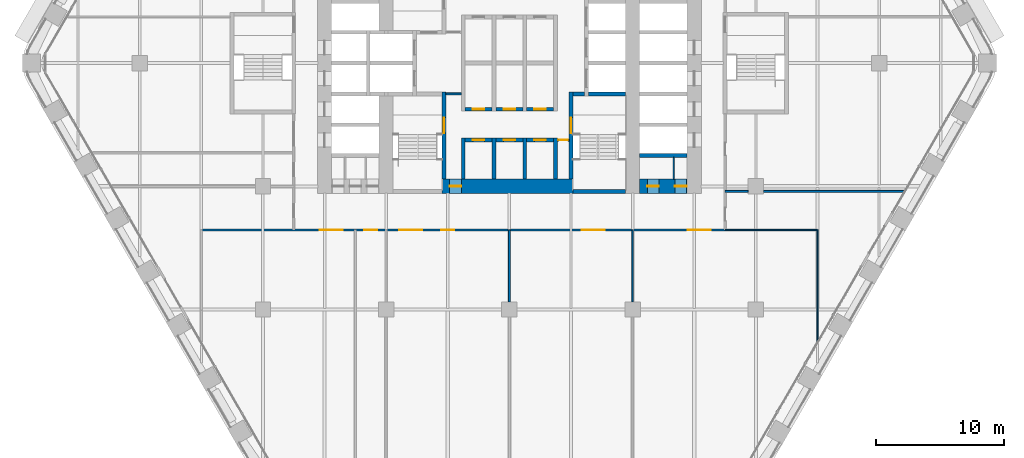
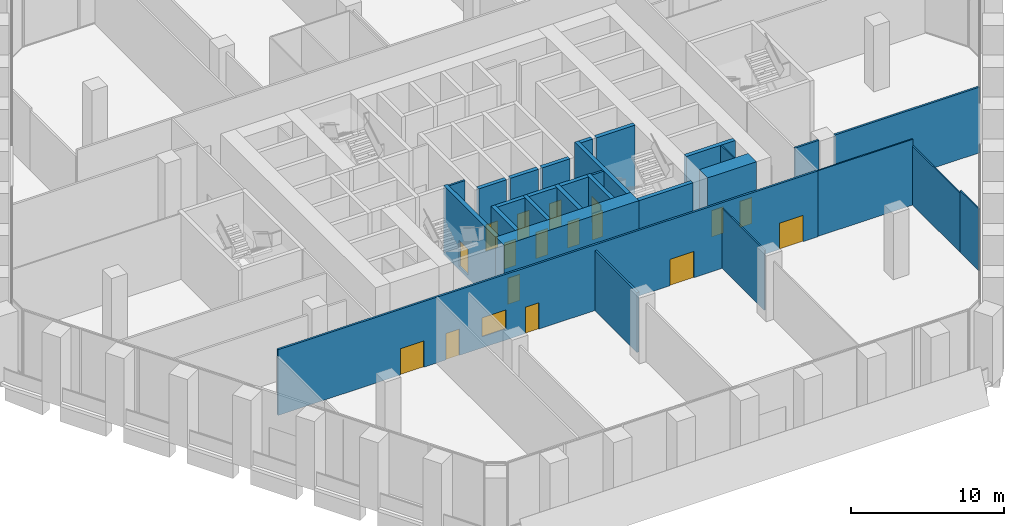
# One storey, part 18 of 27: 29 walls, 17 doors, 1 window, 18 openings.
"""IFC4 building model written with IfcOpenShell, lengths in metres."""

from ifc_helpers import new_model, si_unit, direction, frame, frame_2d, origin, place, context, subcontext, project, spatial, rectangle, extrude, material, layer, layer_set, type_object, element, fill, save


model = new_model("IFC4")

# Units and contexts
model_context = context("Model", 3, precision=1e-05, world=origin(), true_north=direction((0.0, 1.0)))
body_context = subcontext(model_context, "Body", "Model", "MODEL_VIEW")
ifc_project = project(units=[si_unit("LENGTHUNIT", "METRE"), si_unit("AREAUNIT", "SQUARE_METRE"), si_unit("VOLUMEUNIT", "CUBIC_METRE"), si_unit("PLANEANGLEUNIT", "RADIAN"), si_unit("MASSUNIT", "GRAM", prefix="KILO")], contexts=[model_context])

# Site, building, storey
site_placement = place(None, origin())
site = spatial("IfcSite", under=ifc_project, at=site_placement, CompositionType="ELEMENT")
building_placement = place(site_placement, origin())
building = spatial("IfcBuilding", under=site, at=building_placement, Name="Kolab Exchange Tower", CompositionType="ELEMENT")
storey_placement = place(building_placement, frame((0.0, 0.0, 44.39990234375)))
storey = spatial("IfcBuildingStorey", under=building, at=storey_placement, Name="L08", CompositionType="ELEMENT", Elevation=44.39990234375)

# Wall, opening, door
ifc_material_1 = material(Name="Concrete C80/95", Category="concrete")
ifc_layer_1 = layer(ifc_material_1, 1.10009765625)
ifc_layer_set_1 = layer_set([ifc_layer_1], Name="Concrete C80/95")
wall_type_1 = type_object("IfcWallType", Name="CORE WALL 1100 C80/95", PredefinedType="SHEAR", material=ifc_layer_set_1)
wall_1_placement = place(storey_placement, frame((-5.25, -9.60009765625, -0.25), z_axis=(0.0, 0.0, 1.0), x_axis=(1.0, 0.0, 0.0)))
wall_1 = element("IfcWall", 1, at=wall_1_placement, inside=storey, type_object=wall_type_1, Name="wall/L08/core/003", PredefinedType="SHEAR", context=body_context, shape_type="SweptSolid", body=[
    extrude(rectangle(XDim=10.199951171875, YDim=1.10009765625, at=frame_2d((5.10009765625, 0.0))), origin(), (0.0, 0.0, 1.0), 5.5),
])
opening_1_placement = place(wall_1_placement, frame((0.60009765625, 0.0, 0.25)))
opening_1 = element("IfcOpeningElement", 2, at=opening_1_placement, cuts=wall_1, Name="Opening D6-096", PredefinedType="OPENING", context=body_context, shape_type="SweptSolid", body=[
    extrude(rectangle(XDim=0.89990234375, YDim=2.10009765625, at=frame_2d((0.449951171875, 1.050048828125))), frame((0.0, 0.56005859375, 0.0), z_axis=(0.0, -1.0, 0.0), x_axis=(1.0, 0.0, 0.0)), (0.0, 0.0, 1.0), 1.1201171875),
])
ifc_material_2 = material(Name="Steel S235", Category="steel")
door_type_1 = type_object("IfcDoorType", Name="CORE DOOR 900 EI 120", OperationType="SINGLE_SWING_LEFT", PredefinedType="DOOR", material=ifc_material_2)
door_1_placement = place(opening_1_placement, origin())
door_1 = element("IfcDoor", 3, at=door_1_placement, inside=storey, type_object=door_type_1, Name="Core lobby door", OperationType="SINGLE_SWING_RIGHT", OverallHeight=2.10009765625, OverallWidth=0.89990234375, PredefinedType="DOOR", context=body_context, shape_type="SweptSolid", body=[
    extrude(rectangle(XDim=0.89990234375, YDim=2.10009765625, at=frame_2d((0.449951171875, 1.050048828125))), frame((0.0, 0.02490234375, 0.0), z_axis=(0.0, -1.0, 0.0), x_axis=(1.0, 0.0, 0.0)), (0.0, 0.0, 1.0), 0.050048828125),
])
fill(opening_1, door_1)

# Wall, openings, doors
wall_2_placement = place(storey_placement, frame((10.14990234375, -9.60009765625, -0.25), z_axis=(0.0, 0.0, 1.0), x_axis=(1.0, 0.0, 0.0)))
wall_2 = element("IfcWall", 4, at=wall_2_placement, inside=storey, type_object=wall_type_1, Name="wall/L08/core/004", PredefinedType="SHEAR", context=body_context, shape_type="SweptSolid", body=[
    extrude(rectangle(XDim=3.7001953125, YDim=1.10009765625, at=frame_2d((1.85009765625, 0.0))), origin(), (0.0, 0.0, 1.0), 5.5),
])
opening_2_placement = place(wall_2_placement, frame((0.60009765625, 0.0, 0.25)))
opening_2 = element("IfcOpeningElement", 5, at=opening_2_placement, cuts=wall_2, Name="Opening D6-110", PredefinedType="OPENING", context=body_context, shape_type="SweptSolid", body=[
    extrude(rectangle(XDim=0.89990234375, YDim=2.10009765625, at=frame_2d((0.449951171875, 1.050048828125))), frame((0.0, 0.56005859375, 0.0), z_axis=(0.0, -1.0, 0.0), x_axis=(1.0, 0.0, 0.0)), (0.0, 0.0, 1.0), 1.1201171875),
])
opening_3_placement = place(wall_2_placement, frame((2.75, 0.0, 0.25)))
opening_3 = element("IfcOpeningElement", 6, at=opening_3_placement, cuts=wall_2, Name="Opening D6-111", PredefinedType="OPENING", context=body_context, shape_type="SweptSolid", body=[
    extrude(rectangle(XDim=0.89990234375, YDim=2.10009765625, at=frame_2d((0.449951171875, 1.050048828125))), frame((0.0, 0.56005859375, 0.0), z_axis=(0.0, -1.0, 0.0), x_axis=(1.0, 0.0, 0.0)), (0.0, 0.0, 1.0), 1.1201171875),
])
door_2_placement = place(opening_2_placement, origin())
door_2 = element("IfcDoor", 7, at=door_2_placement, inside=storey, type_object=door_type_1, Name="Service room door", OperationType="SINGLE_SWING_RIGHT", OverallHeight=2.10009765625, OverallWidth=0.89990234375, PredefinedType="DOOR", context=body_context, shape_type="SweptSolid", body=[
    extrude(rectangle(XDim=0.89990234375, YDim=2.10009765625, at=frame_2d((0.449951171875, 1.050048828125))), frame((0.0, 0.02490234375, 0.0), z_axis=(0.0, -1.0, 0.0), x_axis=(1.0, 0.0, 0.0)), (0.0, 0.0, 1.0), 0.050048828125),
])
fill(opening_2, door_2)
door_3_placement = place(opening_3_placement, origin())
door_3 = element("IfcDoor", 8, at=door_3_placement, inside=storey, type_object=door_type_1, Name="Service room door", OperationType="SINGLE_SWING_LEFT", OverallHeight=2.10009765625, OverallWidth=0.89990234375, PredefinedType="DOOR", context=body_context, shape_type="SweptSolid", body=[
    extrude(rectangle(XDim=0.89990234375, YDim=2.10009765625, at=frame_2d((0.449951171875, 1.050048828125))), frame((0.0, 0.02490234375, 0.0), z_axis=(0.0, -1.0, 0.0), x_axis=(1.0, 0.0, 0.0)), (0.0, 0.0, 1.0), 0.050048828125),
])
fill(opening_3, door_3)

# Wall
ifc_material_3 = material(Name="Concrete C50/60", Category="concrete")
ifc_layer_2 = layer(ifc_material_3, 0.300048828125)
ifc_layer_set_2 = layer_set([ifc_layer_2], Name="Concrete C50/60")
wall_type_2 = type_object("IfcWallType", Name="LIFT SHAFT WALL 300 C50/60", PredefinedType="STANDARD", material=ifc_layer_set_2)
wall_3_placement = place(storey_placement, frame((10.14990234375, -7.199951171875, -0.25), z_axis=(0.0, 0.0, 1.0), x_axis=(1.0, 0.0, 0.0)))
element("IfcWall", 9, at=wall_3_placement, inside=storey, type_object=wall_type_2, Name="wall/L08/core/006", PredefinedType="STANDARD", context=body_context, shape_type="SweptSolid", body=[
    extrude(rectangle(XDim=3.7001953125, YDim=0.300048828125, at=frame_2d((1.85009765625, 0.0))), origin(), (0.0, 0.0, 1.0), 5.5),
])

# Wall, opening, door
wall_4_placement = place(storey_placement, frame((-3.449951171875, -6.0, -0.25), z_axis=(0.0, 0.0, 1.0), x_axis=(1.0, 0.0, 0.0)))
wall_4 = element("IfcWall", 10, at=wall_4_placement, inside=storey, type_object=wall_type_2, Name="wall/L08/core/007", PredefinedType="STANDARD", context=body_context, shape_type="SweptSolid", body=[
    extrude(rectangle(XDim=2.099853515625, YDim=0.300048828125, at=frame_2d((1.0498046875, 0.0))), origin(), (0.0, 0.0, 1.0), 5.5),
])
opening_4_placement = place(wall_4_placement, frame((0.60009765625, 0.0, 0.25)))
opening_4 = element("IfcOpeningElement", 11, at=opening_4_placement, cuts=wall_4, Name="Opening D6-095", PredefinedType="OPENING", context=body_context, shape_type="SweptSolid", body=[
    extrude(rectangle(XDim=0.89990234375, YDim=2.10009765625, at=frame_2d((0.449951171875, 1.050048828125))), frame((0.0, 0.16015625, 0.0), z_axis=(0.0, -1.0, 0.0), x_axis=(1.0, 0.0, 0.0)), (0.0, 0.0, 1.0), 0.320068359375),
])
door_4_placement = place(opening_4_placement, frame((0.89990234375, 0.0, 0.0), z_axis=(0.0, 0.0, 1.0), x_axis=(-1.0, 0.0, 0.0)))
door_4 = element("IfcDoor", 12, at=door_4_placement, inside=storey, type_object=door_type_1, Name="Service room door", OperationType="SINGLE_SWING_LEFT", OverallHeight=2.10009765625, OverallWidth=0.89990234375, PredefinedType="DOOR", context=body_context, shape_type="SweptSolid", body=[
    extrude(rectangle(XDim=0.89990234375, YDim=2.10009765625, at=frame_2d((0.449951171875, 1.050048828125))), frame((0.0, 0.02490234375, 0.0), z_axis=(0.0, -1.0, 0.0), x_axis=(1.0, 0.0, 0.0)), (0.0, 0.0, 1.0), 0.050048828125),
])
fill(opening_4, door_4)

wall_5_placement = place(storey_placement, frame((-1.050048828125, -6.0, -0.25), z_axis=(0.0, 0.0, 1.0), x_axis=(1.0, 0.0, 0.0)))
wall_5 = element("IfcWall", 13, at=wall_5_placement, inside=storey, type_object=wall_type_2, Name="wall/L08/core/008", PredefinedType="STANDARD", context=body_context, shape_type="SweptSolid", body=[
    extrude(rectangle(XDim=2.10009765625, YDim=0.300048828125, at=frame_2d((1.050048828125, 0.0))), origin(), (0.0, 0.0, 1.0), 5.5),
])
opening_5_placement = place(wall_5_placement, frame((0.60009765625, 0.0, 0.25)))
opening_5 = element("IfcOpeningElement", 14, at=opening_5_placement, cuts=wall_5, Name="Opening D6-094", PredefinedType="OPENING", context=body_context, shape_type="SweptSolid", body=[
    extrude(rectangle(XDim=0.89990234375, YDim=2.10009765625, at=frame_2d((0.449951171875, 1.050048828125))), frame((0.0, 0.16015625, 0.0), z_axis=(0.0, -1.0, 0.0), x_axis=(1.0, 0.0, 0.0)), (0.0, 0.0, 1.0), 0.320068359375),
])
door_5_placement = place(opening_5_placement, frame((0.89990234375, 0.0, 0.0), z_axis=(0.0, 0.0, 1.0), x_axis=(-1.0, 0.0, 0.0)))
door_5 = element("IfcDoor", 15, at=door_5_placement, inside=storey, type_object=door_type_1, Name="Service room door", OperationType="SINGLE_SWING_LEFT", OverallHeight=2.10009765625, OverallWidth=0.89990234375, PredefinedType="DOOR", context=body_context, shape_type="SweptSolid", body=[
    extrude(rectangle(XDim=0.89990234375, YDim=2.10009765625, at=frame_2d((0.449951171875, 1.050048828125))), frame((0.0, 0.02490234375, 0.0), z_axis=(0.0, -1.0, 0.0), x_axis=(1.0, 0.0, 0.0)), (0.0, 0.0, 1.0), 0.050048828125),
])
fill(opening_5, door_5)

wall_6_placement = place(storey_placement, frame((1.35009765625, -6.0, -0.25), z_axis=(0.0, 0.0, 1.0), x_axis=(1.0, 0.0, 0.0)))
wall_6 = element("IfcWall", 16, at=wall_6_placement, inside=storey, type_object=wall_type_2, Name="wall/L08/core/009", PredefinedType="STANDARD", context=body_context, shape_type="SweptSolid", body=[
    extrude(rectangle(XDim=2.099853515625, YDim=0.300048828125, at=frame_2d((1.0498046875, 0.0))), origin(), (0.0, 0.0, 1.0), 5.5),
])
opening_6_placement = place(wall_6_placement, frame((0.60009765625, 0.0, 0.25)))
opening_6 = element("IfcOpeningElement", 17, at=opening_6_placement, cuts=wall_6, Name="Opening D6-093", PredefinedType="OPENING", context=body_context, shape_type="SweptSolid", body=[
    extrude(rectangle(XDim=0.89990234375, YDim=2.10009765625, at=frame_2d((0.449951171875, 1.050048828125))), frame((0.0, 0.16015625, 0.0), z_axis=(0.0, -1.0, 0.0), x_axis=(1.0, 0.0, 0.0)), (0.0, 0.0, 1.0), 0.320068359375),
])
door_6_placement = place(opening_6_placement, frame((0.89990234375, 0.0, 0.0), z_axis=(0.0, 0.0, 1.0), x_axis=(-1.0, 0.0, 0.0)))
door_6 = element("IfcDoor", 18, at=door_6_placement, inside=storey, type_object=door_type_1, Name="Service room door", OperationType="SINGLE_SWING_RIGHT", OverallHeight=2.10009765625, OverallWidth=0.89990234375, PredefinedType="DOOR", context=body_context, shape_type="SweptSolid", body=[
    extrude(rectangle(XDim=0.89990234375, YDim=2.10009765625, at=frame_2d((0.449951171875, 1.050048828125))), frame((0.0, 0.02490234375, 0.0), z_axis=(0.0, -1.0, 0.0), x_axis=(1.0, 0.0, 0.0)), (0.0, 0.0, 1.0), 0.050048828125),
])
fill(opening_6, door_6)

wall_7_placement = place(storey_placement, frame((-3.449951171875, -3.60009765625, -0.25), z_axis=(0.0, 0.0, 1.0), x_axis=(1.0, 0.0, 0.0)))
wall_7 = element("IfcWall", 19, at=wall_7_placement, inside=storey, type_object=wall_type_2, Name="wall/L08/core/014", PredefinedType="STANDARD", context=body_context, shape_type="SweptSolid", body=[
    extrude(rectangle(XDim=2.099853515625, YDim=0.300048828125, at=frame_2d((1.0498046875, 0.0))), origin(), (0.0, 0.0, 1.0), 5.5),
])
opening_7_placement = place(wall_7_placement, frame((0.60009765625, 0.0, 0.25)))
opening_7 = element("IfcOpeningElement", 20, at=opening_7_placement, cuts=wall_7, Name="Opening D6-092", PredefinedType="OPENING", context=body_context, shape_type="SweptSolid", body=[
    extrude(rectangle(XDim=0.89990234375, YDim=2.10009765625, at=frame_2d((0.449951171875, 1.050048828125))), frame((0.0, 0.16015625, 0.0), z_axis=(0.0, -1.0, 0.0), x_axis=(1.0, 0.0, 0.0)), (0.0, 0.0, 1.0), 0.320068359375),
])
door_7_placement = place(opening_7_placement, origin())
door_7 = element("IfcDoor", 21, at=door_7_placement, inside=storey, type_object=door_type_1, Name="Service room door", OperationType="SINGLE_SWING_LEFT", OverallHeight=2.10009765625, OverallWidth=0.89990234375, PredefinedType="DOOR", context=body_context, shape_type="SweptSolid", body=[
    extrude(rectangle(XDim=0.89990234375, YDim=2.10009765625, at=frame_2d((0.449951171875, 1.050048828125))), frame((0.0, 0.02490234375, 0.0), z_axis=(0.0, -1.0, 0.0), x_axis=(1.0, 0.0, 0.0)), (0.0, 0.0, 1.0), 0.050048828125),
])
fill(opening_7, door_7)

wall_8_placement = place(storey_placement, frame((-1.050048828125, -3.60009765625, -0.25), z_axis=(0.0, 0.0, 1.0), x_axis=(1.0, 0.0, 0.0)))
wall_8 = element("IfcWall", 22, at=wall_8_placement, inside=storey, type_object=wall_type_2, Name="wall/L08/core/015", PredefinedType="STANDARD", context=body_context, shape_type="SweptSolid", body=[
    extrude(rectangle(XDim=2.10009765625, YDim=0.300048828125, at=frame_2d((1.050048828125, 0.0))), origin(), (0.0, 0.0, 1.0), 5.5),
])
opening_8_placement = place(wall_8_placement, frame((0.60009765625, 0.0, 0.25)))
opening_8 = element("IfcOpeningElement", 23, at=opening_8_placement, cuts=wall_8, Name="Opening D6-106", PredefinedType="OPENING", context=body_context, shape_type="SweptSolid", body=[
    extrude(rectangle(XDim=0.89990234375, YDim=2.10009765625, at=frame_2d((0.449951171875, 1.050048828125))), frame((0.0, 0.16015625, 0.0), z_axis=(0.0, -1.0, 0.0), x_axis=(1.0, 0.0, 0.0)), (0.0, 0.0, 1.0), 0.320068359375),
])
door_8_placement = place(opening_8_placement, origin())
door_8 = element("IfcDoor", 24, at=door_8_placement, inside=storey, type_object=door_type_1, Name="Service room door", OperationType="SINGLE_SWING_RIGHT", OverallHeight=2.10009765625, OverallWidth=0.89990234375, PredefinedType="DOOR", context=body_context, shape_type="SweptSolid", body=[
    extrude(rectangle(XDim=0.89990234375, YDim=2.10009765625, at=frame_2d((0.449951171875, 1.050048828125))), frame((0.0, 0.02490234375, 0.0), z_axis=(0.0, -1.0, 0.0), x_axis=(1.0, 0.0, 0.0)), (0.0, 0.0, 1.0), 0.050048828125),
])
fill(opening_8, door_8)

wall_9_placement = place(storey_placement, frame((1.35009765625, -3.60009765625, -0.25), z_axis=(0.0, 0.0, 1.0), x_axis=(1.0, 0.0, 0.0)))
wall_9 = element("IfcWall", 25, at=wall_9_placement, inside=storey, type_object=wall_type_2, Name="wall/L08/core/016", PredefinedType="STANDARD", context=body_context, shape_type="SweptSolid", body=[
    extrude(rectangle(XDim=2.099853515625, YDim=0.300048828125, at=frame_2d((1.0498046875, 0.0))), origin(), (0.0, 0.0, 1.0), 5.5),
])
opening_9_placement = place(wall_9_placement, frame((0.60009765625, 0.0, 0.25)))
opening_9 = element("IfcOpeningElement", 26, at=opening_9_placement, cuts=wall_9, Name="Opening D6-090", PredefinedType="OPENING", context=body_context, shape_type="SweptSolid", body=[
    extrude(rectangle(XDim=0.89990234375, YDim=2.10009765625, at=frame_2d((0.449951171875, 1.050048828125))), frame((0.0, 0.16015625, 0.0), z_axis=(0.0, -1.0, 0.0), x_axis=(1.0, 0.0, 0.0)), (0.0, 0.0, 1.0), 0.320068359375),
])
door_9_placement = place(opening_9_placement, origin())
door_9 = element("IfcDoor", 27, at=door_9_placement, inside=storey, type_object=door_type_1, Name="Service room door", OperationType="SINGLE_SWING_RIGHT", OverallHeight=2.10009765625, OverallWidth=0.89990234375, PredefinedType="DOOR", context=body_context, shape_type="SweptSolid", body=[
    extrude(rectangle(XDim=0.89990234375, YDim=2.10009765625, at=frame_2d((0.449951171875, 1.050048828125))), frame((0.0, 0.02490234375, 0.0), z_axis=(0.0, -1.0, 0.0), x_axis=(1.0, 0.0, 0.0)), (0.0, 0.0, 1.0), 0.050048828125),
])
fill(opening_9, door_9)

# Walls
for number, where, z_axis, x_axis, name in (
    (28, (-3.60009765625, -9.050048828125, -0.25), (0.0, 0.0, 1.0), (0.0, 1.0, 0.0), "wall/L08/core/066"),
    (29, (-1.199951171875, -9.050048828125, -0.25), (0.0, 0.0, 1.0), (0.0, 1.0, 0.0), "wall/L08/core/069"),
    (30, (1.199951171875, -9.050048828125, -0.25), (0.0, 0.0, 1.0), (0.0, 1.0, 0.0), "wall/L08/core/072"),
    (31, (3.60009765625, -9.050048828125, -0.25), (0.0, 0.0, 1.0), (0.0, 1.0, 0.0), "wall/L08/core/075"),
):
    element("IfcWall", number, at=place(storey_placement, frame(where, z_axis=z_axis, x_axis=x_axis)), inside=storey, type_object=wall_type_2, Name=name, PredefinedType="STANDARD", context=body_context, shape_type="SweptSolid", body=[
        extrude(rectangle(XDim=3.199951171875, YDim=0.300048828125, at=frame_2d((1.60009765625, 0.0))), origin(), (0.0, 0.0, 1.0), 5.5),
    ])
ifc_material_4 = material(Name="Gypsum board", Category="gypsum")
ifc_layer_3 = layer(ifc_material_4, 0.10009765625)
ifc_layer_set_3 = layer_set([ifc_layer_3], Name="Gypsum board")
wall_type_3 = type_object("IfcWallType", Name="PARTITION 100", PredefinedType="PARTITIONING", material=ifc_layer_set_3)
wall_10_placement = place(storey_placement, frame((24.0, -19.27392578125, 0.0), z_axis=(0.0, 0.0, 1.0), x_axis=(0.0, 1.0, 0.0)))
element("IfcWall", 32, at=wall_10_placement, inside=storey, type_object=wall_type_3, Name="Partition 000", PredefinedType="PARTITIONING", context=body_context, shape_type="SweptSolid", body=[
    extrude(rectangle(XDim=6.27392578125, YDim=0.10009765625, at=frame_2d((3.136962890625, 0.0))), origin(), (0.0, 0.0, 1.0), 4.717041015625),
])
wall_11_placement = place(storey_placement, frame((24.0, -21.701416015625, 0.0), z_axis=(0.0, 0.0, 1.0), x_axis=(0.0, 1.0, 0.0)))
element("IfcWall", 33, at=wall_11_placement, inside=storey, type_object=wall_type_3, Name="Partition 000", PredefinedType="PARTITIONING", context=body_context, shape_type="SweptSolid", body=[
    extrude(rectangle(XDim=2.427490234375, YDim=0.10009765625, at=frame_2d((1.2138671875, 0.0))), origin(), (0.0, 0.0, 1.0), 4.940185546875),
])
wall_12_placement = place(storey_placement, frame((12.800048828125, -9.050048828125, 0.0), z_axis=(0.0, 0.0, 1.0), x_axis=(0.0, 1.0, 0.0)))
element("IfcWall", 34, at=wall_12_placement, inside=storey, type_object=wall_type_3, Name="Partition 004", PredefinedType="PARTITIONING", context=body_context, shape_type="SweptSolid", body=[
    extrude(rectangle(XDim=1.699951171875, YDim=0.10009765625, at=frame_2d((0.85009765625, 0.0))), origin(), (0.0, 0.0, 1.0), 5.25),
])
wall_13_placement = place(storey_placement, frame((9.60009765625, -18.60009765625, 0.0), z_axis=(0.0, 0.0, 1.0), x_axis=(0.0, 1.0, 0.0)))
element("IfcWall", 35, at=wall_13_placement, inside=storey, type_object=wall_type_3, Name="Partition 006", PredefinedType="PARTITIONING", context=body_context, shape_type="SweptSolid", body=[
    extrude(rectangle(XDim=5.60009765625, YDim=0.10009765625, at=frame_2d((2.800048828125, 0.0))), origin(), (0.0, 0.0, 1.0), 4.793212890625),
])
wall_14_placement = place(storey_placement, frame((16.800048828125, -13.0, 0.0), z_axis=(0.0, 0.0, 1.0), x_axis=(1.0, 0.0, 0.0)))
element("IfcWall", 36, at=wall_14_placement, inside=storey, type_object=wall_type_3, Name="Partition 029", PredefinedType="PARTITIONING", context=body_context, shape_type="SweptSolid", body=[
    extrude(rectangle(XDim=7.199951171875, YDim=0.10009765625, at=frame_2d((3.60009765625, 0.0))), origin(), (0.0, 0.0, 1.0), 5.25),
])
ifc_layer_4 = layer(ifc_material_4, 0.14990234375)
ifc_layer_set_4 = layer_set([ifc_layer_4], Name="Gypsum board")
wall_type_4 = type_object("IfcWallType", Name="PARTITION 150 FIRE-RATED", PredefinedType="PARTITIONING", material=ifc_layer_set_4)
wall_15_placement = place(storey_placement, frame((0.0, -18.60009765625, 0.0), z_axis=(0.0, 0.0, 1.0), x_axis=(0.0, 1.0, 0.0)))
element("IfcWall", 37, at=wall_15_placement, inside=storey, type_object=wall_type_4, Name="Partition 010", PredefinedType="PARTITIONING", context=body_context, shape_type="SweptSolid", body=[
    extrude(rectangle(XDim=5.60009765625, YDim=0.14990234375, at=frame_2d((2.800048828125, 0.0))), origin(), (0.0, 0.0, 1.0), 4.793212890625),
])

# Wall, openings, doors, window
wall_16_placement = place(storey_placement, frame((-24.0, -13.0, 0.0), z_axis=(0.0, 0.0, 1.0), x_axis=(1.0, 0.0, 0.0)))
wall_16 = element("IfcWall", 38, at=wall_16_placement, inside=storey, type_object=wall_type_4, Name="Partition 030", PredefinedType="PARTITIONING", context=body_context, shape_type="SweptSolid", body=[
    extrude(rectangle(XDim=40.800048828125, YDim=0.14990234375, at=frame_2d((20.39990234375, 0.0))), origin(), (0.0, 0.0, 1.0), 5.25),
])
opening_10_placement = place(wall_16_placement, frame((9.22509765625, 0.0, 0.0)))
opening_10 = element("IfcOpeningElement", 39, at=opening_10_placement, cuts=wall_16, Name="Opening D2-023", PredefinedType="OPENING", context=body_context, shape_type="SweptSolid", body=[
    extrude(rectangle(XDim=1.800048828125, YDim=2.10009765625, at=frame_2d((0.89990234375, 1.050048828125))), frame((0.0, 0.0849609375, 0.0), z_axis=(0.0, -1.0, 0.0), x_axis=(1.0, 0.0, 0.0)), (0.0, 0.0, 1.0), 0.169921875),
])
opening_11_placement = place(wall_16_placement, frame((12.699951171875, 0.0, 0.0)))
opening_11 = element("IfcOpeningElement", 40, at=opening_11_placement, cuts=wall_16, Name="Opening D1-113", PredefinedType="OPENING", context=body_context, shape_type="SweptSolid", body=[
    extrude(rectangle(XDim=1.0, YDim=2.10009765625, at=frame_2d((0.5, 1.050048828125))), frame((0.0, 0.0849609375, 0.0), z_axis=(0.0, -1.0, 0.0), x_axis=(1.0, 0.0, 0.0)), (0.0, 0.0, 1.0), 0.169921875),
])
opening_12_placement = place(wall_16_placement, frame((18.699951171875, 0.0, 0.0)))
opening_12 = element("IfcOpeningElement", 41, at=opening_12_placement, cuts=wall_16, Name="Opening D1-114", PredefinedType="OPENING", context=body_context, shape_type="SweptSolid", body=[
    extrude(rectangle(XDim=1.0, YDim=2.10009765625, at=frame_2d((0.5, 1.050048828125))), frame((0.0, 0.0849609375, 0.0), z_axis=(0.0, -1.0, 0.0), x_axis=(1.0, 0.0, 0.0)), (0.0, 0.0, 1.0), 0.169921875),
])
opening_13_placement = place(wall_16_placement, frame((29.625, 0.0, 0.0)))
opening_13 = element("IfcOpeningElement", 42, at=opening_13_placement, cuts=wall_16, Name="Opening D2-024", PredefinedType="OPENING", context=body_context, shape_type="SweptSolid", body=[
    extrude(rectangle(XDim=1.800048828125, YDim=2.10009765625, at=frame_2d((0.89990234375, 1.050048828125))), frame((0.0, 0.0849609375, 0.0), z_axis=(0.0, -1.0, 0.0), x_axis=(1.0, 0.0, 0.0)), (0.0, 0.0, 1.0), 0.169921875),
])
opening_14_placement = place(wall_16_placement, frame((37.875, 0.0, 0.0)))
opening_14 = element("IfcOpeningElement", 43, at=opening_14_placement, cuts=wall_16, Name="Opening D2-025", PredefinedType="OPENING", context=body_context, shape_type="SweptSolid", body=[
    extrude(rectangle(XDim=1.800048828125, YDim=2.10009765625, at=frame_2d((0.89990234375, 1.050048828125))), frame((0.0, 0.0849609375, 0.0), z_axis=(0.0, -1.0, 0.0), x_axis=(1.0, 0.0, 0.0)), (0.0, 0.0, 1.0), 0.169921875),
])
opening_15_placement = place(wall_16_placement, frame((15.39990234375, 0.0, 0.89990234375)))
opening_15 = element("IfcOpeningElement", 44, at=opening_15_placement, cuts=wall_16, Name="Opening W1-002", PredefinedType="OPENING", context=body_context, shape_type="SweptSolid", body=[
    extrude(rectangle(XDim=1.800048828125, YDim=1.5, at=frame_2d((0.89990234375, 0.75))), frame((0.0, 0.0849609375, 0.0), z_axis=(0.0, -1.0, 0.0), x_axis=(1.0, 0.0, 0.0)), (0.0, 0.0, 1.0), 0.169921875),
])
door_type_2 = type_object("IfcDoorType", Name="DOUBLE DOOR 1800 FD60", OperationType="DOUBLE_DOOR_SINGLE_SWING", PredefinedType="DOOR", material=ifc_material_2)
door_10_placement = place(opening_10_placement, frame((1.800048828125, 0.0, 0.0), z_axis=(0.0, 0.0, 1.0), x_axis=(-1.0, 0.0, 0.0)))
door_10 = element("IfcDoor", 45, at=door_10_placement, inside=storey, type_object=door_type_2, Name="Door L08-054", OperationType="SINGLE_SWING_RIGHT", OverallHeight=2.10009765625, OverallWidth=1.800048828125, PredefinedType="DOOR", context=body_context, shape_type="SweptSolid", body=[
    extrude(rectangle(XDim=1.800048828125, YDim=2.10009765625, at=frame_2d((0.89990234375, 1.050048828125))), frame((0.0, 0.02490234375, 0.0), z_axis=(0.0, -1.0, 0.0), x_axis=(1.0, 0.0, 0.0)), (0.0, 0.0, 1.0), 0.050048828125),
])
fill(opening_10, door_10)
door_11_placement = place(opening_13_placement, frame((1.800048828125, 0.0, 0.0), z_axis=(0.0, 0.0, 1.0), x_axis=(-1.0, 0.0, 0.0)))
door_11 = element("IfcDoor", 46, at=door_11_placement, inside=storey, type_object=door_type_2, Name="Door L08-057", OperationType="SINGLE_SWING_RIGHT", OverallHeight=2.10009765625, OverallWidth=1.800048828125, PredefinedType="DOOR", context=body_context, shape_type="SweptSolid", body=[
    extrude(rectangle(XDim=1.800048828125, YDim=2.10009765625, at=frame_2d((0.89990234375, 1.050048828125))), frame((0.0, 0.02490234375, 0.0), z_axis=(0.0, -1.0, 0.0), x_axis=(1.0, 0.0, 0.0)), (0.0, 0.0, 1.0), 0.050048828125),
])
fill(opening_13, door_11)
door_12_placement = place(opening_14_placement, frame((1.800048828125, 0.0, 0.0), z_axis=(0.0, 0.0, 1.0), x_axis=(-1.0, 0.0, 0.0)))
door_12 = element("IfcDoor", 47, at=door_12_placement, inside=storey, type_object=door_type_2, Name="Door L08-058", OperationType="SINGLE_SWING_LEFT", OverallHeight=2.10009765625, OverallWidth=1.800048828125, PredefinedType="DOOR", context=body_context, shape_type="SweptSolid", body=[
    extrude(rectangle(XDim=1.800048828125, YDim=2.10009765625, at=frame_2d((0.89990234375, 1.050048828125))), frame((0.0, 0.02490234375, 0.0), z_axis=(0.0, -1.0, 0.0), x_axis=(1.0, 0.0, 0.0)), (0.0, 0.0, 1.0), 0.050048828125),
])
fill(opening_14, door_12)
door_type_3 = type_object("IfcDoorType", Name="FLUSH DOOR 1000 FD60", OperationType="SINGLE_SWING_LEFT", PredefinedType="DOOR", material=ifc_material_2)
door_13_placement = place(opening_11_placement, frame((1.0, 0.0, 0.0), z_axis=(0.0, 0.0, 1.0), x_axis=(-1.0, 0.0, 0.0)))
door_13 = element("IfcDoor", 48, at=door_13_placement, inside=storey, type_object=door_type_3, Name="Door L08-055", OperationType="SINGLE_SWING_LEFT", OverallHeight=2.10009765625, OverallWidth=1.0, PredefinedType="DOOR", context=body_context, shape_type="SweptSolid", body=[
    extrude(rectangle(XDim=1.0, YDim=2.10009765625, at=frame_2d((0.5, 1.050048828125))), frame((0.0, 0.02490234375, 0.0), z_axis=(0.0, -1.0, 0.0), x_axis=(1.0, 0.0, 0.0)), (0.0, 0.0, 1.0), 0.050048828125),
])
fill(opening_11, door_13)
door_14_placement = place(opening_12_placement, frame((1.0, 0.0, 0.0), z_axis=(0.0, 0.0, 1.0), x_axis=(-1.0, 0.0, 0.0)))
door_14 = element("IfcDoor", 49, at=door_14_placement, inside=storey, type_object=door_type_3, Name="Door L08-056", OperationType="SINGLE_SWING_LEFT", OverallHeight=2.10009765625, OverallWidth=1.0, PredefinedType="DOOR", context=body_context, shape_type="SweptSolid", body=[
    extrude(rectangle(XDim=1.0, YDim=2.10009765625, at=frame_2d((0.5, 1.050048828125))), frame((0.0, 0.02490234375, 0.0), z_axis=(0.0, -1.0, 0.0), x_axis=(1.0, 0.0, 0.0)), (0.0, 0.0, 1.0), 0.050048828125),
])
fill(opening_12, door_14)
ifc_material_5 = material(Name="Fire-rated glazing", Category="glass")
window_type = type_object("IfcWindowType", Name="OBSERVATION WINDOW 1800 X 1500 EI 60", PartitioningType="SINGLE_PANEL", PredefinedType="WINDOW", material=ifc_material_5)
window_placement = place(opening_15_placement, origin())
window = element("IfcWindow", 50, at=window_placement, inside=storey, type_object=window_type, Name="Viewing window L08-1", OverallHeight=1.5, OverallWidth=1.800048828125, PartitioningType="SINGLE_PANEL", PredefinedType="WINDOW", context=body_context, shape_type="SweptSolid", body=[
    extrude(rectangle(XDim=1.800048828125, YDim=1.5, at=frame_2d((0.89990234375, 0.75))), frame((0.0, 0.030029296875, 0.0), z_axis=(0.0, -1.0, 0.0), x_axis=(1.0, 0.0, 0.0)), (0.0, 0.0, 1.0), 0.06005859375),
])
fill(opening_15, window)

# Walls
wall_17_placement = place(storey_placement, frame((16.800048828125, -10.0, 0.0), z_axis=(0.0, 0.0, 1.0), x_axis=(1.0, 0.0, 0.0)))
element("IfcWall", 51, at=wall_17_placement, inside=storey, type_object=wall_type_4, Name="Partition 031", PredefinedType="PARTITIONING", context=body_context, shape_type="SweptSolid", body=[
    extrude(rectangle(XDim=1.800048828125, YDim=0.14990234375, at=frame_2d((0.89990234375, 0.0))), origin(), (0.0, 0.0, 1.0), 5.25),
])
wall_18_placement = place(storey_placement, frame((19.800048828125, -10.0, 0.0), z_axis=(0.0, 0.0, 1.0), x_axis=(1.0, 0.0, 0.0)))
element("IfcWall", 52, at=wall_18_placement, inside=storey, type_object=wall_type_4, Name="Partition 032", PredefinedType="PARTITIONING", context=body_context, shape_type="SweptSolid", body=[
    extrude(rectangle(XDim=10.955810546875, YDim=0.14990234375, at=frame_2d((5.47802734375, 0.0))), origin(), (0.0, 0.0, 1.0), 5.25),
])

# Wall, opening, door
wall_19_placement = place(storey_placement, frame((3.75, -6.0, 0.0), z_axis=(0.0, 0.0, 1.0), x_axis=(1.0, 0.0, 0.0)))
wall_19 = element("IfcWall", 53, at=wall_19_placement, inside=storey, type_object=wall_type_4, Name="Partition 036", PredefinedType="PARTITIONING", context=body_context, shape_type="SweptSolid", body=[
    extrude(rectangle(XDim=0.89990234375, YDim=0.14990234375, at=frame_2d((0.449951171875, 0.0))), origin(), (0.0, 0.0, 1.0), 5.25),
])
opening_16_placement = place(wall_19_placement, frame((0.050048828125, 0.0, 0.0)))
opening_16 = element("IfcOpeningElement", 54, at=opening_16_placement, cuts=wall_19, Name="Opening D7-010", PredefinedType="OPENING", context=body_context, shape_type="SweptSolid", body=[
    extrude(rectangle(XDim=0.800048828125, YDim=2.10009765625, at=frame_2d((0.39990234375, 1.050048828125))), frame((0.0, 0.0849609375, 0.0), z_axis=(0.0, -1.0, 0.0), x_axis=(1.0, 0.0, 0.0)), (0.0, 0.0, 1.0), 0.169921875),
])
door_type_4 = type_object("IfcDoorType", Name="FLUSH DOOR 800 FD60", OperationType="SINGLE_SWING_LEFT", PredefinedType="DOOR", material=ifc_material_2)
door_15_placement = place(opening_16_placement, frame((0.800048828125, 0.0, 0.0), z_axis=(0.0, 0.0, 1.0), x_axis=(-1.0, 0.0, 0.0)))
door_15 = element("IfcDoor", 55, at=door_15_placement, inside=storey, type_object=door_type_4, Name="Door L08-042", OperationType="SINGLE_SWING_RIGHT", OverallHeight=2.10009765625, OverallWidth=0.800048828125, PredefinedType="DOOR", context=body_context, shape_type="SweptSolid", body=[
    extrude(rectangle(XDim=0.800048828125, YDim=2.10009765625, at=frame_2d((0.39990234375, 1.050048828125))), frame((0.0, 0.02490234375, 0.0), z_axis=(0.0, -1.0, 0.0), x_axis=(1.0, 0.0, 0.0)), (0.0, 0.0, 1.0), 0.050048828125),
])
fill(opening_16, door_15)

# Walls
wall_20_placement = place(storey_placement, frame((-4.949951171875, -2.39990234375, 0.0), z_axis=(0.0, 0.0, 1.0), x_axis=(1.0, 0.0, 0.0)))
element("IfcWall", 56, at=wall_20_placement, inside=storey, type_object=wall_type_4, Name="Fire partition", PredefinedType="PARTITIONING", context=body_context, shape_type="SweptSolid", body=[
    extrude(rectangle(XDim=1.199951171875, YDim=0.14990234375, at=frame_2d((0.60009765625, 0.0))), origin(), (0.0, 0.0, 1.0), 5.25),
])
ifc_layer_5 = layer(ifc_material_3, 0.300048828125)
ifc_layer_set_5 = layer_set([ifc_layer_5], Name="Concrete C50/60")
wall_type_5 = type_object("IfcWallType", Name="STAIR ENCLOSURE WALL 300 C50/60", PredefinedType="STANDARD", material=ifc_layer_set_5)
wall_21_placement = place(storey_placement, frame((4.949951171875, -10.0, -0.25), z_axis=(0.0, 0.0, 1.0), x_axis=(1.0, 0.0, 0.0)))
element("IfcWall", 57, at=wall_21_placement, inside=storey, type_object=wall_type_5, Name="wall/L08/core/001", PredefinedType="STANDARD", context=body_context, shape_type="SweptSolid", body=[
    extrude(rectangle(XDim=4.10009765625, YDim=0.300048828125, at=frame_2d((2.050048828125, 0.0))), origin(), (0.0, 0.0, 1.0), 5.5),
])
wall_22_placement = place(storey_placement, frame((4.949951171875, -2.39990234375, -0.25), z_axis=(0.0, 0.0, 1.0), x_axis=(1.0, 0.0, 0.0)))
element("IfcWall", 58, at=wall_22_placement, inside=storey, type_object=wall_type_5, Name="wall/L08/core/021", PredefinedType="STANDARD", context=body_context, shape_type="SweptSolid", body=[
    extrude(rectangle(XDim=0.900146484375, YDim=0.300048828125, at=frame_2d((0.4501953125, 0.0))), origin(), (0.0, 0.0, 1.0), 5.5),
])
wall_23_placement = place(storey_placement, frame((6.14990234375, -2.39990234375, -0.25), z_axis=(0.0, 0.0, 1.0), x_axis=(1.0, 0.0, 0.0)))
element("IfcWall", 59, at=wall_23_placement, inside=storey, type_object=wall_type_5, Name="wall/L08/core/022", PredefinedType="STANDARD", context=body_context, shape_type="SweptSolid", body=[
    extrude(rectangle(XDim=2.900146484375, YDim=0.300048828125, at=frame_2d((1.4501953125, 0.0))), origin(), (0.0, 0.0, 1.0), 5.5),
])

# Wall, opening, door
wall_24_placement = place(storey_placement, frame((-5.10009765625, -9.050048828125, -0.25), z_axis=(0.0, 0.0, 1.0), x_axis=(0.0, 1.0, 0.0)))
wall_24 = element("IfcWall", 60, at=wall_24_placement, inside=storey, type_object=wall_type_5, Name="wall/L08/core/064", PredefinedType="STANDARD", context=body_context, shape_type="SweptSolid", body=[
    extrude(rectangle(XDim=6.800048828125, YDim=0.300048828125, at=frame_2d((3.39990234375, 0.0))), origin(), (0.0, 0.0, 1.0), 5.5),
])
opening_17_placement = place(wall_24_placement, frame((3.60009765625, 0.0, 0.25)))
opening_17 = element("IfcOpeningElement", 61, at=opening_17_placement, cuts=wall_24, Name="Opening D4-022", PredefinedType="OPENING", context=body_context, shape_type="SweptSolid", body=[
    extrude(rectangle(XDim=1.199951171875, YDim=2.10009765625, at=frame_2d((0.60009765625, 1.050048828125))), frame((0.0, 0.16015625, 0.0), z_axis=(0.0, -1.0, 0.0), x_axis=(1.0, 0.0, 0.0)), (0.0, 0.0, 1.0), 0.320068359375),
])
door_type_5 = type_object("IfcDoorType", Name="STAIR DOOR 1200 EI 120", OperationType="SINGLE_SWING_LEFT", PredefinedType="DOOR", material=ifc_material_2)
door_16_placement = place(opening_17_placement, origin())
door_16 = element("IfcDoor", 62, at=door_16_placement, inside=storey, type_object=door_type_5, Name="Stair 3 door", OperationType="SINGLE_SWING_RIGHT", OverallHeight=2.10009765625, OverallWidth=1.199951171875, PredefinedType="DOOR", context=body_context, shape_type="SweptSolid", body=[
    extrude(rectangle(XDim=1.199951171875, YDim=2.10009765625, at=frame_2d((0.60009765625, 1.050048828125))), frame((0.0, 0.02490234375, 0.0), z_axis=(0.0, -1.0, 0.0), x_axis=(1.0, 0.0, 0.0)), (0.0, 0.0, 1.0), 0.050048828125),
])
fill(opening_17, door_16)

wall_25_placement = place(storey_placement, frame((4.800048828125, -9.050048828125, -0.25), z_axis=(0.0, 0.0, 1.0), x_axis=(0.0, 1.0, 0.0)))
wall_25 = element("IfcWall", 63, at=wall_25_placement, inside=storey, type_object=wall_type_5, Name="wall/L08/core/078", PredefinedType="STANDARD", context=body_context, shape_type="SweptSolid", body=[
    extrude(rectangle(XDim=6.800048828125, YDim=0.300048828125, at=frame_2d((3.39990234375, 0.0))), origin(), (0.0, 0.0, 1.0), 5.5),
])
opening_18_placement = place(wall_25_placement, frame((3.60009765625, 0.0, 0.25)))
opening_18 = element("IfcOpeningElement", 64, at=opening_18_placement, cuts=wall_25, Name="Opening D4-021", PredefinedType="OPENING", context=body_context, shape_type="SweptSolid", body=[
    extrude(rectangle(XDim=1.199951171875, YDim=2.10009765625, at=frame_2d((0.60009765625, 1.050048828125))), frame((0.0, 0.16015625, 0.0), z_axis=(0.0, -1.0, 0.0), x_axis=(1.0, 0.0, 0.0)), (0.0, 0.0, 1.0), 0.320068359375),
])
door_17_placement = place(opening_18_placement, frame((1.199951171875, 0.0, 0.0), z_axis=(0.0, 0.0, 1.0), x_axis=(-1.0, 0.0, 0.0)))
door_17 = element("IfcDoor", 65, at=door_17_placement, inside=storey, type_object=door_type_5, Name="Stair 2 door", OperationType="SINGLE_SWING_RIGHT", OverallHeight=2.10009765625, OverallWidth=1.199951171875, PredefinedType="DOOR", context=body_context, shape_type="SweptSolid", body=[
    extrude(rectangle(XDim=1.199951171875, YDim=2.10009765625, at=frame_2d((0.60009765625, 1.050048828125))), frame((0.0, 0.02490234375, 0.0), z_axis=(0.0, -1.0, 0.0), x_axis=(1.0, 0.0, 0.0)), (0.0, 0.0, 1.0), 0.050048828125),
])
fill(opening_18, door_17)

save(model, "model.ifc")
